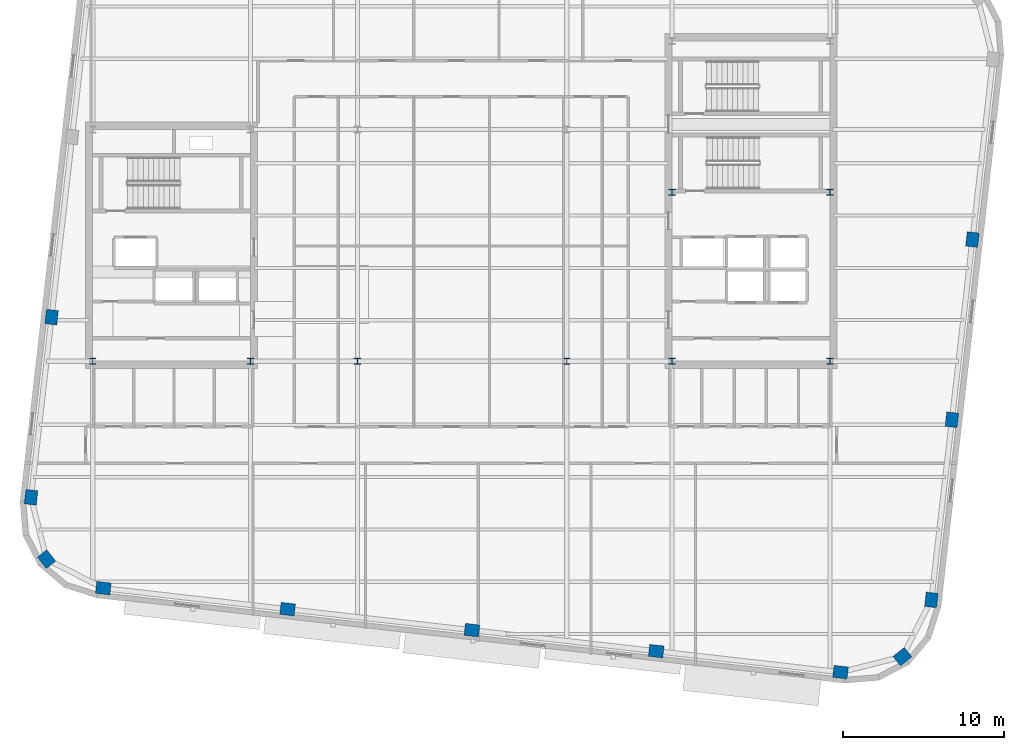
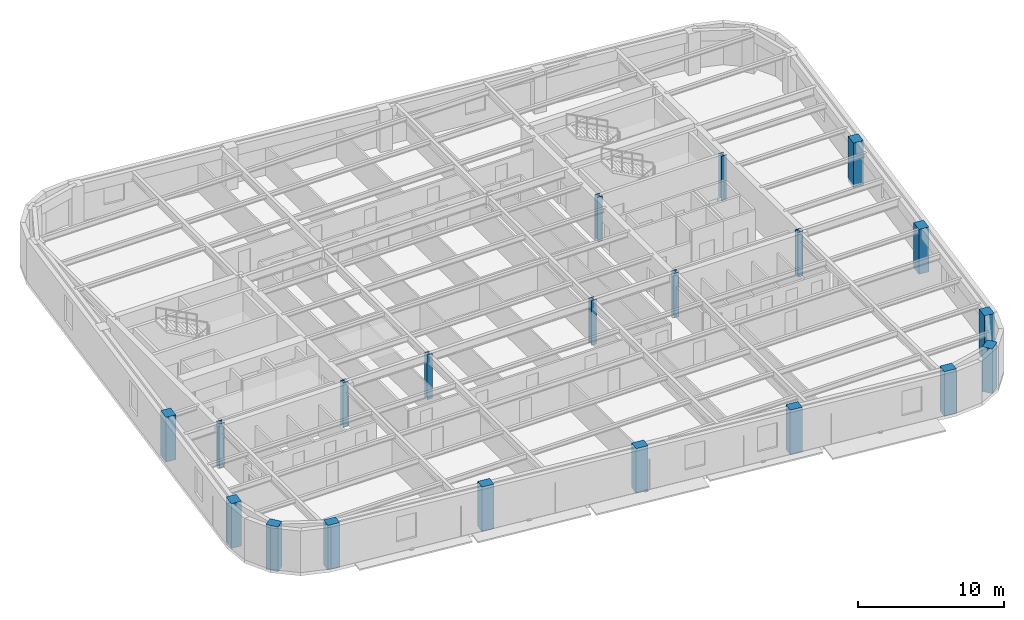
# One storey, part 1 of 13: 20 columns.
"""IFC4 building model written with IfcOpenShell, lengths in metres."""

from ifc_helpers import new_model, si_unit, direction, frame, origin, origin_2d, place, context, subcontext, project, spatial, rectangle, i_section, extrude, material, material_profile, profile_set, type_object, element, save


model = new_model("IFC4")

# Units and contexts
model_context = context("Model", 3, precision=1e-05, world=origin(), true_north=direction((0.0, 1.0)))
body_context = subcontext(model_context, "Body", "Model", "MODEL_VIEW")
ifc_project = project(units=[si_unit("LENGTHUNIT", "METRE"), si_unit("AREAUNIT", "SQUARE_METRE"), si_unit("VOLUMEUNIT", "CUBIC_METRE"), si_unit("PLANEANGLEUNIT", "RADIAN"), si_unit("MASSUNIT", "GRAM", prefix="KILO")], contexts=[model_context])

# Site, building, storey
site_placement = place(None, origin())
site = spatial("IfcSite", under=ifc_project, at=site_placement, CompositionType="ELEMENT")
building_placement = place(site_placement, origin())
building = spatial("IfcBuilding", under=site, at=building_placement, Name="Kolvaren Arena Tower", CompositionType="ELEMENT")
storey_placement = place(building_placement, frame((0.0, 0.0, 232.199951171875)))
storey = spatial("IfcBuildingStorey", under=building, at=storey_placement, Name="L56", CompositionType="ELEMENT", Elevation=232.199951171875)

# Columns
ifc_material_1 = material(Name="Precast concrete C55/67", Category="concrete")
ifc_material_profile_1 = material_profile(ifc_material_1, rectangle(XDim=0.89990234375, YDim=0.75, at=origin_2d()), Name="RC-900x750")
ifc_profile_set_1 = profile_set([ifc_material_profile_1], Name="Precast concrete C55/67")
column_type_1 = type_object("IfcColumnType", Name="EXCOL-Z4", PredefinedType="COLUMN", material=ifc_profile_set_1)
for number, where, z_axis, x_axis, name in (
    (1, (15.207763671875, 5.350830078125, -0.27001953125), (0.0, 0.0, 1.0), (0.993571855677, -0.113203213768, 0.0), "Exoskeleton Perimeter Column 01 (L56)"),
    (2, (26.65869140625, 4.046142578125, -0.27001953125), (0.0, 0.0, 1.0), (0.993571855677, -0.113203213768, 0.0), "Exoskeleton Perimeter Column 02 (L56)"),
    (3, (38.109619140625, 2.741455078125, -0.27001953125), (0.0, 0.0, 1.0), (0.993571855677, -0.113203213768, 0.0), "Exoskeleton Perimeter Column 03 (L56)"),
    (4, (49.560302734375, 1.436767578125, -0.27001953125), (0.0, 0.0, 1.0), (0.993571855677, -0.113203213768, 0.0), "Exoskeleton Perimeter Column 04 (L56)"),
    (5, (61.011474609375, 0.132080078125, -0.27001953125), (0.0, 0.0, 1.0), (0.993571855677, -0.113203213768, 0.0), "Exoskeleton Perimeter Column 05 (L56)"),
    (6, (64.853759765625, 1.094482421875, -0.27001953125), (0.0, 0.0, 1.0), (0.782608156852, 0.622514636638, 0.0), "Exoskeleton Perimeter Column 06 (L56)"),
    (7, (66.656005859375, 4.6220703125, -0.27001953125), (0.0, 0.0, 1.0), (0.113203213768, 0.993571855677, 0.0), "Exoskeleton Perimeter Column 07 (L56)"),
    (8, (67.931396484375, 15.816162109375, -0.27001953125), (0.0, 0.0, 1.0), (0.113203213768, 0.993571855677, 0.0), "Exoskeleton Perimeter Column 08 (L56)"),
    (9, (69.206787109375, 27.010498046875, -0.27001953125), (0.0, 0.0, 1.0), (0.113203213768, 0.993571855677, 0.0), "Exoskeleton Perimeter Column 09 (L56)"),
    (10, (11.9931640625, 22.189453125, -0.27001953125), (0.0, 0.0, 1.0), (0.113203213768, 0.993571855677, 0.0), "Exoskeleton Perimeter Column 20 (L56)"),
    (11, (10.7177734375, 10.995361328125, -0.27001953125), (0.0, 0.0, 1.0), (0.113203213768, 0.993571855677, 0.0), "Exoskeleton Perimeter Column 21 (L56)"),
    (12, (11.680419921875, 7.15283203125, -0.27001953125), (0.0, 0.0, 1.0), (-0.622514636638, 0.782608156852, 0.0), "Exoskeleton Perimeter Column 22 (L56)"),
):
    element("IfcColumn", number, at=place(storey_placement, frame(where, z_axis=z_axis, x_axis=x_axis)), inside=storey, type_object=column_type_1, Name=name, PredefinedType="COLUMN", context=body_context, shape_type="SweptSolid", body=[
        extrude(rectangle(XDim=0.89990234375, YDim=0.75, at=origin_2d()), origin(), (0.0, 0.0, 1.0), 3.75),
    ])
ifc_material_2 = material(Name="Steel ASTM A913 Grade 65", Category="steel")
ifc_material_profile_2 = material_profile(ifc_material_2, i_section(OverallWidth=0.39892578125, OverallDepth=0.39306640625, WebThickness=0.022705078125, FlangeThickness=0.03662109375, FilletRadius=0.02001953125, at=origin_2d()), Name="W360x287")
ifc_profile_set_2 = profile_set([ifc_material_profile_2], Name="Steel ASTM A913 Grade 65")
column_type_2 = type_object("IfcColumnType", Name="SCOL-Z4", PredefinedType="COLUMN", material=ifc_profile_set_2)
for number, where, z_axis, x_axis, name in (
    (13, (14.550048828125, 19.449951171875, -0.27001953125), (0.0, 0.0, 1.0), (1.0, 0.0, 0.0), "Core Boundary Column WC-SW (L56)"),
    (14, (24.35009765625, 19.449951171875, -0.27001953125), (0.0, 0.0, 1.0), (1.0, 0.0, 0.0), "Core Boundary Column WC-SE (L56)"),
    (15, (50.550048828125, 19.449951171875, -0.27001953125), (0.0, 0.0, 1.0), (1.0, 0.0, 0.0), "Core Boundary Column EC-SW (L56)"),
    (16, (60.35009765625, 19.449951171875, -0.27001953125), (0.0, 0.0, 1.0), (1.0, 0.0, 0.0), "Core Boundary Column EC-SE (L56)"),
    (17, (50.550048828125, 29.949951171875, -0.27001953125), (0.0, 0.0, 1.0), (1.0, 0.0, 0.0), "Core Boundary Column EC-MW (L56)"),
    (18, (60.35009765625, 29.949951171875, -0.27001953125), (0.0, 0.0, 1.0), (1.0, 0.0, 0.0), "Core Boundary Column EC-ME (L56)"),
    (19, (31.0, 19.449951171875, -0.27001953125), (0.0, 0.0, 1.0), (1.0, 0.0, 0.0), "Interior Gravity Column TC-SW (L56)"),
    (20, (44.0, 19.449951171875, -0.27001953125), (0.0, 0.0, 1.0), (1.0, 0.0, 0.0), "Interior Gravity Column TC-SE (L56)"),
):
    element("IfcColumn", number, at=place(storey_placement, frame(where, z_axis=z_axis, x_axis=x_axis)), inside=storey, type_object=column_type_2, Name=name, PredefinedType="COLUMN", context=body_context, shape_type="SweptSolid", body=[
        extrude(i_section(OverallWidth=0.39892578125, OverallDepth=0.39306640625, WebThickness=0.022705078125, FlangeThickness=0.03662109375, FilletRadius=0.02001953125, at=origin_2d()), origin(), (0.0, 0.0, 1.0), 3.75),
    ])

save(model, "model.ifc")
